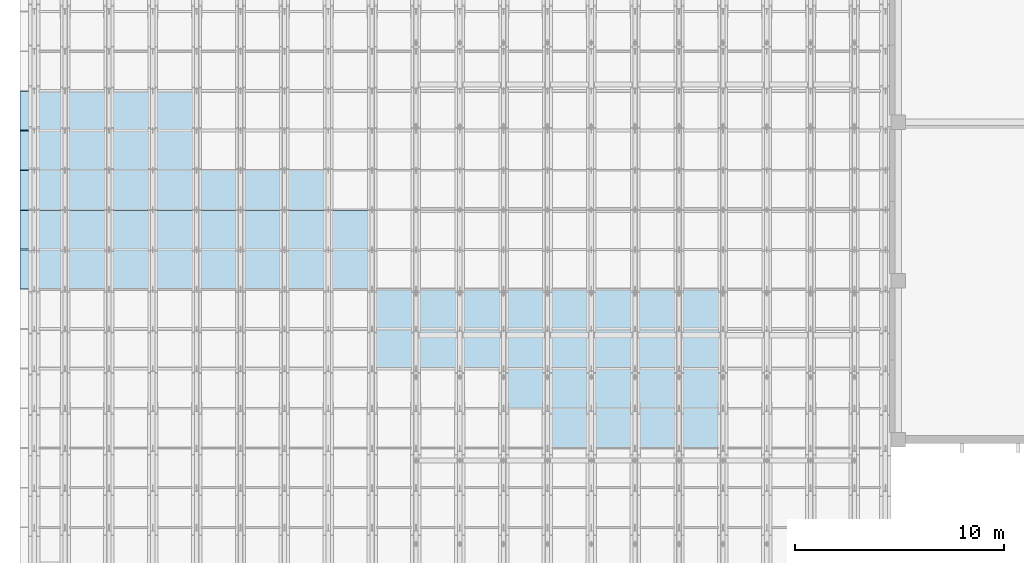
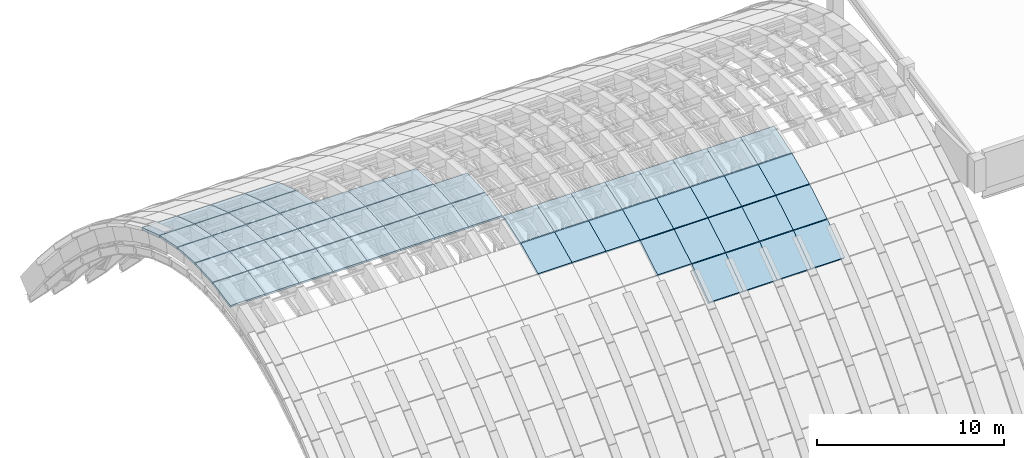
# One storey, part 52 of 67: 56 plates, 1 element without a shape of its own.
"""IFC4 building model written with IfcOpenShell, lengths in metres."""

from ifc_helpers import new_model, si_unit, direction, frame, origin, place, context, subcontext, project, spatial, polyline, outline, extrude, material, layer, layer_set, type_object, element, aggregate, save


model = new_model("IFC4")

# Units and contexts
model_context = context("Model", 3, precision=1e-05, world=origin(), true_north=direction((0.0, 1.0)))
body_context = subcontext(model_context, "Body", "Model", "MODEL_VIEW")
ifc_project = project(units=[si_unit("LENGTHUNIT", "METRE"), si_unit("AREAUNIT", "SQUARE_METRE"), si_unit("VOLUMEUNIT", "CUBIC_METRE"), si_unit("PLANEANGLEUNIT", "RADIAN"), si_unit("MASSUNIT", "GRAM", prefix="KILO")], contexts=[model_context])

# Site, building, storey
site_placement = place(None, origin())
site = spatial("IfcSite", under=ifc_project, at=site_placement, CompositionType="ELEMENT")
building_placement = place(site_placement, origin())
building = spatial("IfcBuilding", under=site, at=building_placement, Name="Shengluoqiao Park Theatre", CompositionType="ELEMENT")
storey_placement = place(building_placement, frame((0.0, 0.0, 28.60009765625)))
storey = spatial("IfcBuildingStorey", under=building, at=storey_placement, Name="Roof", CompositionType="ELEMENT", Elevation=28.60009765625)

# Roof, plates
ifc_material = material(Name="Concrete C50", Category="concrete")
roof_type = type_object("IfcRoofType", Name="STR-ROOF-BARREL", PredefinedType="BARREL_ROOF", material=ifc_material)
roof_placement = place(storey_placement, origin())
roof = element("IfcRoof", 1, at=roof_placement, inside=storey, type_object=roof_type, Name="Main Theatre Barrel-Vault Thin-Shell Roof", PredefinedType="BARREL_ROOF")
ifc_layer_1 = layer(ifc_material, 0.219970703125, Name="Concrete C50")
ifc_layer_set_1 = layer_set([ifc_layer_1], Name="Concrete C50")
plate_type_1 = type_object("IfcPlateType", Name="STR-SHP-SP-05", PredefinedType="USERDEFINED", material=ifc_layer_set_1)
plate_1_placement = place(storey_placement, frame((69.60009765625, 83.617919921875, -1.32177734375), z_axis=(0.0, -0.589297368188, 0.807916215858), x_axis=(1.0, 0.0, 0.0)))
plate_1 = element("IfcPlate", 2, at=plate_1_placement, type_object=plate_type_1, Name="Barrel-Vault Shell Panel B13-S05", ObjectType="SHELL PANEL", PredefinedType="USERDEFINED", context=body_context, shape_type="SweptSolid", body=[
    extrude(outline(polyline([(0.0, 0.0), (2.099853515625, 0.0), (2.099853515625, 2.307186853397614), (0.0, 2.307186853397614), (0.0, 0.0)])), origin(), (0.0, 0.0, -1.0), 0.219970703125),
])
plate_2_placement = place(storey_placement, frame((71.699951171875, 83.617919921875, -1.32177734375), z_axis=(0.0, -0.589297368188, 0.807916215858), x_axis=(1.0, 0.0, 0.0)))
plate_2 = element("IfcPlate", 3, at=plate_2_placement, type_object=plate_type_1, Name="Barrel-Vault Shell Panel B14-S05", ObjectType="SHELL PANEL", PredefinedType="USERDEFINED", context=body_context, shape_type="SweptSolid", body=[
    extrude(outline(polyline([(0.0, 0.0), (2.10009765625, 0.0), (2.10009765625, 2.307186853397614), (0.0, 2.307186853397614), (0.0, 0.0)])), origin(), (0.0, 0.0, -1.0), 0.219970703125),
])
plate_3_placement = place(storey_placement, frame((73.800048828125, 83.617919921875, -1.32177734375), z_axis=(0.0, -0.589297368188, 0.807916215858), x_axis=(1.0, 0.0, 0.0)))
plate_3 = element("IfcPlate", 4, at=plate_3_placement, type_object=plate_type_1, Name="Barrel-Vault Shell Panel B15-S05", ObjectType="SHELL PANEL", PredefinedType="USERDEFINED", context=body_context, shape_type="SweptSolid", body=[
    extrude(outline(polyline([(0.0, 0.0), (2.099853515625, 0.0), (2.099853515625, 2.307186853397614), (0.0, 2.307186853397614), (0.0, 0.0)])), origin(), (0.0, 0.0, -1.0), 0.219970703125),
])
plate_4_placement = place(storey_placement, frame((75.89990234375, 83.617919921875, -1.32177734375), z_axis=(0.0, -0.589297368188, 0.807916215858), x_axis=(1.0, 0.0, 0.0)))
plate_4 = element("IfcPlate", 5, at=plate_4_placement, type_object=plate_type_1, Name="Barrel-Vault Shell Panel B16-S05", ObjectType="SHELL PANEL", PredefinedType="USERDEFINED", context=body_context, shape_type="SweptSolid", body=[
    extrude(outline(polyline([(0.0, 0.0), (2.10009765625, 0.0), (2.10009765625, 2.307186853397614), (0.0, 2.307186853397614), (0.0, 0.0)])), origin(), (0.0, 0.0, -1.0), 0.219970703125),
])
ifc_layer_2 = layer(ifc_material, 0.199951171875, Name="Concrete C50")
ifc_layer_set_2 = layer_set([ifc_layer_2], Name="Concrete C50")
plate_type_2 = type_object("IfcPlateType", Name="STR-SHP-SP-06", PredefinedType="USERDEFINED", material=ifc_layer_set_2)
plate_5_placement = place(storey_placement, frame((67.5, 85.51806640625, 0.061767578125), z_axis=(0.0, -0.512509675023, 0.858681450253), x_axis=(1.0, 0.0, 0.0)))
plate_5 = element("IfcPlate", 6, at=plate_5_placement, type_object=plate_type_2, Name="Barrel-Vault Shell Panel B12-S06", ObjectType="SHELL PANEL", PredefinedType="USERDEFINED", context=body_context, shape_type="SweptSolid", body=[
    extrude(outline(polyline([(0.0, 0.0), (2.10009765625, 0.0), (2.10009765625, 2.1707860014057654), (0.0, 2.1707860014057654), (0.0, 0.0)])), origin(), (0.0, 0.0, -1.0), 0.199951171875),
])
plate_6_placement = place(storey_placement, frame((69.60009765625, 85.51806640625, 0.061767578125), z_axis=(0.0, -0.512509675023, 0.858681450253), x_axis=(1.0, 0.0, 0.0)))
plate_6 = element("IfcPlate", 7, at=plate_6_placement, type_object=plate_type_2, Name="Barrel-Vault Shell Panel B13-S06", ObjectType="SHELL PANEL", PredefinedType="USERDEFINED", context=body_context, shape_type="SweptSolid", body=[
    extrude(outline(polyline([(0.0, 0.0), (2.099853515625, 0.0), (2.099853515625, 2.1707860014057654), (0.0, 2.1707860014057654), (0.0, 0.0)])), origin(), (0.0, 0.0, -1.0), 0.199951171875),
])
plate_7_placement = place(storey_placement, frame((71.699951171875, 85.51806640625, 0.061767578125), z_axis=(0.0, -0.512509675023, 0.858681450253), x_axis=(1.0, 0.0, 0.0)))
plate_7 = element("IfcPlate", 8, at=plate_7_placement, type_object=plate_type_2, Name="Barrel-Vault Shell Panel B14-S06", ObjectType="SHELL PANEL", PredefinedType="USERDEFINED", context=body_context, shape_type="SweptSolid", body=[
    extrude(outline(polyline([(0.0, 0.0), (2.10009765625, 0.0), (2.10009765625, 2.1707860014057654), (0.0, 2.1707860014057654), (0.0, 0.0)])), origin(), (0.0, 0.0, -1.0), 0.199951171875),
])
plate_8_placement = place(storey_placement, frame((73.800048828125, 85.51806640625, 0.061767578125), z_axis=(0.0, -0.512509675023, 0.858681450253), x_axis=(1.0, 0.0, 0.0)))
plate_8 = element("IfcPlate", 9, at=plate_8_placement, type_object=plate_type_2, Name="Barrel-Vault Shell Panel B15-S06", ObjectType="SHELL PANEL", PredefinedType="USERDEFINED", context=body_context, shape_type="SweptSolid", body=[
    extrude(outline(polyline([(0.0, 0.0), (2.099853515625, 0.0), (2.099853515625, 2.1707860014057654), (0.0, 2.1707860014057654), (0.0, 0.0)])), origin(), (0.0, 0.0, -1.0), 0.199951171875),
])
plate_9_placement = place(storey_placement, frame((75.89990234375, 85.51806640625, 0.061767578125), z_axis=(0.0, -0.512509675023, 0.858681450253), x_axis=(1.0, 0.0, 0.0)))
plate_9 = element("IfcPlate", 10, at=plate_9_placement, type_object=plate_type_2, Name="Barrel-Vault Shell Panel B16-S06", ObjectType="SHELL PANEL", PredefinedType="USERDEFINED", context=body_context, shape_type="SweptSolid", body=[
    extrude(outline(polyline([(0.0, 0.0), (2.10009765625, 0.0), (2.10009765625, 2.1707860014057654), (0.0, 2.1707860014057654), (0.0, 0.0)])), origin(), (0.0, 0.0, -1.0), 0.199951171875),
])
ifc_layer_3 = layer(ifc_material, 0.179931640625, Name="Concrete C50")
ifc_layer_set_3 = layer_set([ifc_layer_3], Name="Concrete C50")
plate_type_3 = type_object("IfcPlateType", Name="STR-SHP-SP-07", PredefinedType="USERDEFINED", material=ifc_layer_set_3)
plate_10_placement = place(storey_placement, frame((61.199951171875, 87.41796875, 1.193359375), z_axis=(0.0, -0.421128757918, 0.907000865079), x_axis=(1.0, 0.0, 0.0)))
plate_10 = element("IfcPlate", 11, at=plate_10_placement, type_object=plate_type_3, Name="Barrel-Vault Shell Panel B09-S07", ObjectType="SHELL PANEL", PredefinedType="USERDEFINED", context=body_context, shape_type="SweptSolid", body=[
    extrude(outline(polyline([(0.0, 0.0), (2.10009765625, 0.0), (2.10009765625, 2.0551399051999777), (0.0, 2.0551399051999777), (0.0, 0.0)])), origin(), (0.0, 0.0, -1.0), 0.179931640625),
])
plate_11_placement = place(storey_placement, frame((63.300048828125, 87.41796875, 1.193359375), z_axis=(0.0, -0.421128757918, 0.907000865079), x_axis=(1.0, 0.0, 0.0)))
plate_11 = element("IfcPlate", 12, at=plate_11_placement, type_object=plate_type_3, Name="Barrel-Vault Shell Panel B10-S07", ObjectType="SHELL PANEL", PredefinedType="USERDEFINED", context=body_context, shape_type="SweptSolid", body=[
    extrude(outline(polyline([(0.0, 0.0), (2.099853515625, 0.0), (2.099853515625, 2.055139905199978), (0.0, 2.055139905199978), (0.0, 0.0)])), origin(), (0.0, 0.0, -1.0), 0.179931640625),
])
plate_12_placement = place(storey_placement, frame((65.39990234375, 87.41796875, 1.193359375), z_axis=(0.0, -0.421128757918, 0.907000865079), x_axis=(1.0, 0.0, 0.0)))
plate_12 = element("IfcPlate", 13, at=plate_12_placement, type_object=plate_type_3, Name="Barrel-Vault Shell Panel B11-S07", ObjectType="SHELL PANEL", PredefinedType="USERDEFINED", context=body_context, shape_type="SweptSolid", body=[
    extrude(outline(polyline([(0.0, 0.0), (2.10009765625, 0.0), (2.10009765625, 2.0551399051999777), (0.0, 2.0551399051999777), (0.0, 0.0)])), origin(), (0.0, 0.0, -1.0), 0.179931640625),
])
plate_13_placement = place(storey_placement, frame((67.5, 87.41796875, 1.193359375), z_axis=(0.0, -0.421128757918, 0.907000865079), x_axis=(1.0, 0.0, 0.0)))
plate_13 = element("IfcPlate", 14, at=plate_13_placement, type_object=plate_type_3, Name="Barrel-Vault Shell Panel B12-S07", ObjectType="SHELL PANEL", PredefinedType="USERDEFINED", context=body_context, shape_type="SweptSolid", body=[
    extrude(outline(polyline([(0.0, 0.0), (2.10009765625, 0.0), (2.10009765625, 2.0551399051999777), (0.0, 2.0551399051999777), (0.0, 0.0)])), origin(), (0.0, 0.0, -1.0), 0.179931640625),
])
plate_14_placement = place(storey_placement, frame((69.60009765625, 87.41796875, 1.193359375), z_axis=(0.0, -0.421128757918, 0.907000865079), x_axis=(1.0, 0.0, 0.0)))
plate_14 = element("IfcPlate", 15, at=plate_14_placement, type_object=plate_type_3, Name="Barrel-Vault Shell Panel B13-S07", ObjectType="SHELL PANEL", PredefinedType="USERDEFINED", context=body_context, shape_type="SweptSolid", body=[
    extrude(outline(polyline([(0.0, 0.0), (2.099853515625, 0.0), (2.099853515625, 2.055139905199978), (0.0, 2.055139905199978), (0.0, 0.0)])), origin(), (0.0, 0.0, -1.0), 0.179931640625),
])
plate_15_placement = place(storey_placement, frame((71.699951171875, 87.41796875, 1.193359375), z_axis=(0.0, -0.421128757918, 0.907000865079), x_axis=(1.0, 0.0, 0.0)))
plate_15 = element("IfcPlate", 16, at=plate_15_placement, type_object=plate_type_3, Name="Barrel-Vault Shell Panel B14-S07", ObjectType="SHELL PANEL", PredefinedType="USERDEFINED", context=body_context, shape_type="SweptSolid", body=[
    extrude(outline(polyline([(0.0, 0.0), (2.10009765625, 0.0), (2.10009765625, 2.0551399051999777), (0.0, 2.0551399051999777), (0.0, 0.0)])), origin(), (0.0, 0.0, -1.0), 0.179931640625),
])
plate_16_placement = place(storey_placement, frame((73.800048828125, 87.41796875, 1.193359375), z_axis=(0.0, -0.421128757918, 0.907000865079), x_axis=(1.0, 0.0, 0.0)))
plate_16 = element("IfcPlate", 17, at=plate_16_placement, type_object=plate_type_3, Name="Barrel-Vault Shell Panel B15-S07", ObjectType="SHELL PANEL", PredefinedType="USERDEFINED", context=body_context, shape_type="SweptSolid", body=[
    extrude(outline(polyline([(0.0, 0.0), (2.099853515625, 0.0), (2.099853515625, 2.055139905199978), (0.0, 2.055139905199978), (0.0, 0.0)])), origin(), (0.0, 0.0, -1.0), 0.179931640625),
])
plate_17_placement = place(storey_placement, frame((75.89990234375, 87.41796875, 1.193359375), z_axis=(0.0, -0.421128757918, 0.907000865079), x_axis=(1.0, 0.0, 0.0)))
plate_17 = element("IfcPlate", 18, at=plate_17_placement, type_object=plate_type_3, Name="Barrel-Vault Shell Panel B16-S07", ObjectType="SHELL PANEL", PredefinedType="USERDEFINED", context=body_context, shape_type="SweptSolid", body=[
    extrude(outline(polyline([(0.0, 0.0), (2.10009765625, 0.0), (2.10009765625, 2.0551399051999777), (0.0, 2.0551399051999777), (0.0, 0.0)])), origin(), (0.0, 0.0, -1.0), 0.179931640625),
])
ifc_layer_4 = layer(ifc_material, 0.169921875, Name="Concrete C50")
ifc_layer_set_4 = layer_set([ifc_layer_4], Name="Concrete C50")
plate_type_4 = type_object("IfcPlateType", Name="STR-SHP-SP-08", PredefinedType="USERDEFINED", material=ifc_layer_set_4)
plate_18_placement = place(storey_placement, frame((44.340087890625, 98.818115234375, 2.691162109375), z_axis=(0.0, 0.314810021978, 0.949154702913), x_axis=(1.0, 0.0, 0.0)))
plate_18 = element("IfcPlate", 19, at=plate_18_placement, type_object=plate_type_4, Name="Barrel-Vault Shell Panel B01-S13", ObjectType="SHELL PANEL", PredefinedType="USERDEFINED", context=body_context, shape_type="SweptSolid", body=[
    extrude(outline(polyline([(0.0, 0.0), (2.159912109375, 0.0), (2.159912109375, 1.9636098578338692), (0.0, 1.9636098578338692), (0.0, 0.0)])), origin(), (0.0, 0.0, -1.0), 0.169921875),
])
plate_19_placement = place(storey_placement, frame((46.5, 98.818115234375, 2.691162109375), z_axis=(0.0, 0.314810021978, 0.949154702913), x_axis=(1.0, 0.0, 0.0)))
plate_19 = element("IfcPlate", 20, at=plate_19_placement, type_object=plate_type_4, Name="Barrel-Vault Shell Panel B02-S13", ObjectType="SHELL PANEL", PredefinedType="USERDEFINED", context=body_context, shape_type="SweptSolid", body=[
    extrude(outline(polyline([(0.0, 0.0), (2.10009765625, 0.0), (2.10009765625, 1.9636098578338692), (0.0, 1.9636098578338692), (0.0, 0.0)])), origin(), (0.0, 0.0, -1.0), 0.169921875),
])
plate_20_placement = place(storey_placement, frame((48.60009765625, 98.818115234375, 2.691162109375), z_axis=(0.0, 0.314810021978, 0.949154702913), x_axis=(1.0, 0.0, 0.0)))
plate_20 = element("IfcPlate", 21, at=plate_20_placement, type_object=plate_type_4, Name="Barrel-Vault Shell Panel B03-S13", ObjectType="SHELL PANEL", PredefinedType="USERDEFINED", context=body_context, shape_type="SweptSolid", body=[
    extrude(outline(polyline([(0.0, 0.0), (2.099853515625, 0.0), (2.099853515625, 1.9636098578338692), (0.0, 1.9636098578338692), (0.0, 0.0)])), origin(), (0.0, 0.0, -1.0), 0.169921875),
])
plate_21_placement = place(storey_placement, frame((50.699951171875, 98.818115234375, 2.691162109375), z_axis=(0.0, 0.314810021978, 0.949154702913), x_axis=(1.0, 0.0, 0.0)))
plate_21 = element("IfcPlate", 22, at=plate_21_placement, type_object=plate_type_4, Name="Barrel-Vault Shell Panel B04-S13", ObjectType="SHELL PANEL", PredefinedType="USERDEFINED", context=body_context, shape_type="SweptSolid", body=[
    extrude(outline(polyline([(0.0, 0.0), (2.10009765625, 0.0), (2.10009765625, 1.9636098578338692), (0.0, 1.9636098578338692), (0.0, 0.0)])), origin(), (0.0, 0.0, -1.0), 0.169921875),
])
plate_22_placement = place(storey_placement, frame((61.199951171875, 89.318115234375, 2.072998046875), z_axis=(0.0, -0.314810021978, 0.949154702913), x_axis=(1.0, 0.0, 0.0)))
plate_22 = element("IfcPlate", 23, at=plate_22_placement, type_object=plate_type_4, Name="Barrel-Vault Shell Panel B09-S08", ObjectType="SHELL PANEL", PredefinedType="USERDEFINED", context=body_context, shape_type="SweptSolid", body=[
    extrude(outline(polyline([(0.0, 0.0), (2.10009765625, 0.0), (2.10009765625, 1.9636098578338692), (0.0, 1.9636098578338692), (0.0, 0.0)])), origin(), (0.0, 0.0, -1.0), 0.169921875),
])
plate_23_placement = place(storey_placement, frame((63.300048828125, 89.318115234375, 2.072998046875), z_axis=(0.0, -0.314810021978, 0.949154702913), x_axis=(1.0, 0.0, 0.0)))
plate_23 = element("IfcPlate", 24, at=plate_23_placement, type_object=plate_type_4, Name="Barrel-Vault Shell Panel B10-S08", ObjectType="SHELL PANEL", PredefinedType="USERDEFINED", context=body_context, shape_type="SweptSolid", body=[
    extrude(outline(polyline([(0.0, 0.0), (2.099853515625, 0.0), (2.099853515625, 1.9636098578338692), (0.0, 1.9636098578338692), (0.0, 0.0)])), origin(), (0.0, 0.0, -1.0), 0.169921875),
])
plate_24_placement = place(storey_placement, frame((65.39990234375, 89.318115234375, 2.072998046875), z_axis=(0.0, -0.314810021978, 0.949154702913), x_axis=(1.0, 0.0, 0.0)))
plate_24 = element("IfcPlate", 25, at=plate_24_placement, type_object=plate_type_4, Name="Barrel-Vault Shell Panel B11-S08", ObjectType="SHELL PANEL", PredefinedType="USERDEFINED", context=body_context, shape_type="SweptSolid", body=[
    extrude(outline(polyline([(0.0, 0.0), (2.10009765625, 0.0), (2.10009765625, 1.9636098578338692), (0.0, 1.9636098578338692), (0.0, 0.0)])), origin(), (0.0, 0.0, -1.0), 0.169921875),
])
plate_25_placement = place(storey_placement, frame((67.5, 89.318115234375, 2.072998046875), z_axis=(0.0, -0.314810021978, 0.949154702913), x_axis=(1.0, 0.0, 0.0)))
plate_25 = element("IfcPlate", 26, at=plate_25_placement, type_object=plate_type_4, Name="Barrel-Vault Shell Panel B12-S08", ObjectType="SHELL PANEL", PredefinedType="USERDEFINED", context=body_context, shape_type="SweptSolid", body=[
    extrude(outline(polyline([(0.0, 0.0), (2.10009765625, 0.0), (2.10009765625, 1.9636098578338692), (0.0, 1.9636098578338692), (0.0, 0.0)])), origin(), (0.0, 0.0, -1.0), 0.169921875),
])
plate_26_placement = place(storey_placement, frame((69.60009765625, 89.318115234375, 2.072998046875), z_axis=(0.0, -0.314810021978, 0.949154702913), x_axis=(1.0, 0.0, 0.0)))
plate_26 = element("IfcPlate", 27, at=plate_26_placement, type_object=plate_type_4, Name="Barrel-Vault Shell Panel B13-S08", ObjectType="SHELL PANEL", PredefinedType="USERDEFINED", context=body_context, shape_type="SweptSolid", body=[
    extrude(outline(polyline([(0.0, 0.0), (2.099853515625, 0.0), (2.099853515625, 1.9636098578338692), (0.0, 1.9636098578338692), (0.0, 0.0)])), origin(), (0.0, 0.0, -1.0), 0.169921875),
])
plate_27_placement = place(storey_placement, frame((71.699951171875, 89.318115234375, 2.072998046875), z_axis=(0.0, -0.314810021978, 0.949154702913), x_axis=(1.0, 0.0, 0.0)))
plate_27 = element("IfcPlate", 28, at=plate_27_placement, type_object=plate_type_4, Name="Barrel-Vault Shell Panel B14-S08", ObjectType="SHELL PANEL", PredefinedType="USERDEFINED", context=body_context, shape_type="SweptSolid", body=[
    extrude(outline(polyline([(0.0, 0.0), (2.10009765625, 0.0), (2.10009765625, 1.9636098578338692), (0.0, 1.9636098578338692), (0.0, 0.0)])), origin(), (0.0, 0.0, -1.0), 0.169921875),
])
plate_28_placement = place(storey_placement, frame((73.800048828125, 89.318115234375, 2.072998046875), z_axis=(0.0, -0.314810021978, 0.949154702913), x_axis=(1.0, 0.0, 0.0)))
plate_28 = element("IfcPlate", 29, at=plate_28_placement, type_object=plate_type_4, Name="Barrel-Vault Shell Panel B15-S08", ObjectType="SHELL PANEL", PredefinedType="USERDEFINED", context=body_context, shape_type="SweptSolid", body=[
    extrude(outline(polyline([(0.0, 0.0), (2.099853515625, 0.0), (2.099853515625, 1.9636098578338692), (0.0, 1.9636098578338692), (0.0, 0.0)])), origin(), (0.0, 0.0, -1.0), 0.169921875),
])
plate_29_placement = place(storey_placement, frame((75.89990234375, 89.318115234375, 2.072998046875), z_axis=(0.0, -0.314810021978, 0.949154702913), x_axis=(1.0, 0.0, 0.0)))
plate_29 = element("IfcPlate", 30, at=plate_29_placement, type_object=plate_type_4, Name="Barrel-Vault Shell Panel B16-S08", ObjectType="SHELL PANEL", PredefinedType="USERDEFINED", context=body_context, shape_type="SweptSolid", body=[
    extrude(outline(polyline([(0.0, 0.0), (2.10009765625, 0.0), (2.10009765625, 1.9636098578338692), (0.0, 1.9636098578338692), (0.0, 0.0)])), origin(), (0.0, 0.0, -1.0), 0.169921875),
])
ifc_layer_5 = layer(ifc_material, 0.14990234375, Name="Concrete C50")
ifc_layer_set_5 = layer_set([ifc_layer_5], Name="Concrete C50")
plate_type_5 = type_object("IfcPlateType", Name="STR-SHP-SP-09", PredefinedType="USERDEFINED", material=ifc_layer_set_5)
plate_30_placement = place(storey_placement, frame((44.340087890625, 91.218017578125, 2.70068359375), z_axis=(0.0, -0.195127896118, 0.980777805701), x_axis=(1.0, 0.0, 0.0)))
plate_30 = element("IfcPlate", 31, at=plate_30_placement, type_object=plate_type_5, Name="Barrel-Vault Shell Panel B01-S09", ObjectType="SHELL PANEL", PredefinedType="USERDEFINED", context=body_context, shape_type="SweptSolid", body=[
    extrude(outline(polyline([(0.0, 0.0), (2.159912109375, 0.0), (2.159912109375, 1.9005463429526022), (0.0, 1.9005463429526022), (0.0, 0.0)])), origin(), (0.0, 0.0, -1.0), 0.14990234375),
])
plate_31_placement = place(storey_placement, frame((44.340087890625, 96.91796875, 3.071533203125), z_axis=(0.0, 0.195127896118, 0.980777805701), x_axis=(1.0, 0.0, 0.0)))
plate_31 = element("IfcPlate", 32, at=plate_31_placement, type_object=plate_type_5, Name="Barrel-Vault Shell Panel B01-S12", ObjectType="SHELL PANEL", PredefinedType="USERDEFINED", context=body_context, shape_type="SweptSolid", body=[
    extrude(outline(polyline([(0.0, 0.0), (2.159912109375, 0.0), (2.159912109375, 1.9005463429526022), (0.0, 1.9005463429526022), (0.0, 0.0)])), origin(), (0.0, 0.0, -1.0), 0.14990234375),
])
plate_32_placement = place(storey_placement, frame((46.5, 91.218017578125, 2.70068359375), z_axis=(0.0, -0.195127896118, 0.980777805701), x_axis=(1.0, 0.0, 0.0)))
plate_32 = element("IfcPlate", 33, at=plate_32_placement, type_object=plate_type_5, Name="Barrel-Vault Shell Panel B02-S09", ObjectType="SHELL PANEL", PredefinedType="USERDEFINED", context=body_context, shape_type="SweptSolid", body=[
    extrude(outline(polyline([(0.0, 0.0), (2.10009765625, 0.0), (2.10009765625, 1.9005463429526022), (0.0, 1.9005463429526022), (0.0, 0.0)])), origin(), (0.0, 0.0, -1.0), 0.14990234375),
])
plate_33_placement = place(storey_placement, frame((46.5, 96.91796875, 3.071533203125), z_axis=(0.0, 0.195127896118, 0.980777805701), x_axis=(1.0, 0.0, 0.0)))
plate_33 = element("IfcPlate", 34, at=plate_33_placement, type_object=plate_type_5, Name="Barrel-Vault Shell Panel B02-S12", ObjectType="SHELL PANEL", PredefinedType="USERDEFINED", context=body_context, shape_type="SweptSolid", body=[
    extrude(outline(polyline([(0.0, 0.0), (2.10009765625, 0.0), (2.10009765625, 1.9005463429526022), (0.0, 1.9005463429526022), (0.0, 0.0)])), origin(), (0.0, 0.0, -1.0), 0.14990234375),
])
plate_34_placement = place(storey_placement, frame((48.60009765625, 91.218017578125, 2.70068359375), z_axis=(0.0, -0.195127896118, 0.980777805701), x_axis=(1.0, 0.0, 0.0)))
plate_34 = element("IfcPlate", 35, at=plate_34_placement, type_object=plate_type_5, Name="Barrel-Vault Shell Panel B03-S09", ObjectType="SHELL PANEL", PredefinedType="USERDEFINED", context=body_context, shape_type="SweptSolid", body=[
    extrude(outline(polyline([(0.0, 0.0), (2.099853515625, 0.0), (2.099853515625, 1.9005463429526024), (0.0, 1.9005463429526024), (0.0, 0.0)])), origin(), (0.0, 0.0, -1.0), 0.14990234375),
])
plate_35_placement = place(storey_placement, frame((48.60009765625, 96.91796875, 3.071533203125), z_axis=(0.0, 0.195127896118, 0.980777805701), x_axis=(1.0, 0.0, 0.0)))
plate_35 = element("IfcPlate", 36, at=plate_35_placement, type_object=plate_type_5, Name="Barrel-Vault Shell Panel B03-S12", ObjectType="SHELL PANEL", PredefinedType="USERDEFINED", context=body_context, shape_type="SweptSolid", body=[
    extrude(outline(polyline([(0.0, 0.0), (2.099853515625, 0.0), (2.099853515625, 1.9005463429526024), (0.0, 1.9005463429526024), (0.0, 0.0)])), origin(), (0.0, 0.0, -1.0), 0.14990234375),
])
plate_36_placement = place(storey_placement, frame((50.699951171875, 91.218017578125, 2.70068359375), z_axis=(0.0, -0.195127896118, 0.980777805701), x_axis=(1.0, 0.0, 0.0)))
plate_36 = element("IfcPlate", 37, at=plate_36_placement, type_object=plate_type_5, Name="Barrel-Vault Shell Panel B04-S09", ObjectType="SHELL PANEL", PredefinedType="USERDEFINED", context=body_context, shape_type="SweptSolid", body=[
    extrude(outline(polyline([(0.0, 0.0), (2.10009765625, 0.0), (2.10009765625, 1.9005463429526022), (0.0, 1.9005463429526022), (0.0, 0.0)])), origin(), (0.0, 0.0, -1.0), 0.14990234375),
])
plate_37_placement = place(storey_placement, frame((50.699951171875, 96.91796875, 3.071533203125), z_axis=(0.0, 0.195127896118, 0.980777805701), x_axis=(1.0, 0.0, 0.0)))
plate_37 = element("IfcPlate", 38, at=plate_37_placement, type_object=plate_type_5, Name="Barrel-Vault Shell Panel B04-S12", ObjectType="SHELL PANEL", PredefinedType="USERDEFINED", context=body_context, shape_type="SweptSolid", body=[
    extrude(outline(polyline([(0.0, 0.0), (2.10009765625, 0.0), (2.10009765625, 1.9005463429526022), (0.0, 1.9005463429526022), (0.0, 0.0)])), origin(), (0.0, 0.0, -1.0), 0.14990234375),
])
plate_38_placement = place(storey_placement, frame((52.800048828125, 91.218017578125, 2.70068359375), z_axis=(0.0, -0.195127896118, 0.980777805701), x_axis=(1.0, 0.0, 0.0)))
plate_38 = element("IfcPlate", 39, at=plate_38_placement, type_object=plate_type_5, Name="Barrel-Vault Shell Panel B05-S09", ObjectType="SHELL PANEL", PredefinedType="USERDEFINED", context=body_context, shape_type="SweptSolid", body=[
    extrude(outline(polyline([(0.0, 0.0), (2.099853515625, 0.0), (2.099853515625, 1.9005463429526024), (0.0, 1.9005463429526024), (0.0, 0.0)])), origin(), (0.0, 0.0, -1.0), 0.14990234375),
])
plate_39_placement = place(storey_placement, frame((54.89990234375, 91.218017578125, 2.70068359375), z_axis=(0.0, -0.195127896118, 0.980777805701), x_axis=(1.0, 0.0, 0.0)))
plate_39 = element("IfcPlate", 40, at=plate_39_placement, type_object=plate_type_5, Name="Barrel-Vault Shell Panel B06-S09", ObjectType="SHELL PANEL", PredefinedType="USERDEFINED", context=body_context, shape_type="SweptSolid", body=[
    extrude(outline(polyline([(0.0, 0.0), (2.10009765625, 0.0), (2.10009765625, 1.9005463429526022), (0.0, 1.9005463429526022), (0.0, 0.0)])), origin(), (0.0, 0.0, -1.0), 0.14990234375),
])
plate_40_placement = place(storey_placement, frame((57.0, 91.218017578125, 2.70068359375), z_axis=(0.0, -0.195127896118, 0.980777805701), x_axis=(1.0, 0.0, 0.0)))
plate_40 = element("IfcPlate", 41, at=plate_40_placement, type_object=plate_type_5, Name="Barrel-Vault Shell Panel B07-S09", ObjectType="SHELL PANEL", PredefinedType="USERDEFINED", context=body_context, shape_type="SweptSolid", body=[
    extrude(outline(polyline([(0.0, 0.0), (2.10009765625, 0.0), (2.10009765625, 1.9005463429526022), (0.0, 1.9005463429526022), (0.0, 0.0)])), origin(), (0.0, 0.0, -1.0), 0.14990234375),
])
plate_41_placement = place(storey_placement, frame((59.10009765625, 91.218017578125, 2.70068359375), z_axis=(0.0, -0.195127896118, 0.980777805701), x_axis=(1.0, 0.0, 0.0)))
plate_41 = element("IfcPlate", 42, at=plate_41_placement, type_object=plate_type_5, Name="Barrel-Vault Shell Panel B08-S09", ObjectType="SHELL PANEL", PredefinedType="USERDEFINED", context=body_context, shape_type="SweptSolid", body=[
    extrude(outline(polyline([(0.0, 0.0), (2.099853515625, 0.0), (2.099853515625, 1.9005463429526024), (0.0, 1.9005463429526024), (0.0, 0.0)])), origin(), (0.0, 0.0, -1.0), 0.14990234375),
])
ifc_layer_6 = layer(ifc_material, 0.139892578125, Name="Concrete C50")
ifc_layer_set_6 = layer_set([ifc_layer_6], Name="Concrete C50")
plate_type_6 = type_object("IfcPlateType", Name="STR-SHP-SP-10", PredefinedType="USERDEFINED", material=ifc_layer_set_6)
plate_42_placement = place(storey_placement, frame((44.340087890625, 93.117919921875, 3.076171875), z_axis=(0.0, -0.066258788899, 0.997802471882), x_axis=(1.0, 0.0, 0.0)))
plate_42 = element("IfcPlate", 43, at=plate_42_placement, type_object=plate_type_6, Name="Barrel-Vault Shell Panel B01-S10", ObjectType="SHELL PANEL", PredefinedType="USERDEFINED", context=body_context, shape_type="SweptSolid", body=[
    extrude(outline(polyline([(0.0, 0.0), (2.159912109375, 0.0), (2.159912109375, 1.8681189157202467), (0.0, 1.8681189157202467), (0.0, 0.0)])), origin(), (0.0, 0.0, -1.0), 0.139892578125),
])
plate_43_placement = place(storey_placement, frame((44.340087890625, 95.01806640625, 3.199951171875), z_axis=(0.0, 0.066258788899, 0.997802471882), x_axis=(1.0, 0.0, 0.0)))
plate_43 = element("IfcPlate", 44, at=plate_43_placement, type_object=plate_type_6, Name="Barrel-Vault Shell Panel B01-S11", ObjectType="SHELL PANEL", PredefinedType="USERDEFINED", context=body_context, shape_type="SweptSolid", body=[
    extrude(outline(polyline([(0.0, 0.0), (2.159912109375, 0.0), (2.159912109375, 1.8681189157202467), (0.0, 1.8681189157202467), (0.0, 0.0)])), origin(), (0.0, 0.0, -1.0), 0.139892578125),
])
plate_44_placement = place(storey_placement, frame((46.5, 93.117919921875, 3.076171875), z_axis=(0.0, -0.066258788899, 0.997802471882), x_axis=(1.0, 0.0, 0.0)))
plate_44 = element("IfcPlate", 45, at=plate_44_placement, type_object=plate_type_6, Name="Barrel-Vault Shell Panel B02-S10", ObjectType="SHELL PANEL", PredefinedType="USERDEFINED", context=body_context, shape_type="SweptSolid", body=[
    extrude(outline(polyline([(0.0, 0.0), (2.10009765625, 0.0), (2.10009765625, 1.8681189157202462), (0.0, 1.8681189157202462), (0.0, 0.0)])), origin(), (0.0, 0.0, -1.0), 0.139892578125),
])
plate_45_placement = place(storey_placement, frame((46.5, 95.01806640625, 3.199951171875), z_axis=(0.0, 0.066258788899, 0.997802471882), x_axis=(1.0, 0.0, 0.0)))
plate_45 = element("IfcPlate", 46, at=plate_45_placement, type_object=plate_type_6, Name="Barrel-Vault Shell Panel B02-S11", ObjectType="SHELL PANEL", PredefinedType="USERDEFINED", context=body_context, shape_type="SweptSolid", body=[
    extrude(outline(polyline([(0.0, 0.0), (2.10009765625, 0.0), (2.10009765625, 1.8681189157202462), (0.0, 1.8681189157202462), (0.0, 0.0)])), origin(), (0.0, 0.0, -1.0), 0.139892578125),
])
plate_46_placement = place(storey_placement, frame((48.60009765625, 93.117919921875, 3.076171875), z_axis=(0.0, -0.066258788899, 0.997802471882), x_axis=(1.0, 0.0, 0.0)))
plate_46 = element("IfcPlate", 47, at=plate_46_placement, type_object=plate_type_6, Name="Barrel-Vault Shell Panel B03-S10", ObjectType="SHELL PANEL", PredefinedType="USERDEFINED", context=body_context, shape_type="SweptSolid", body=[
    extrude(outline(polyline([(0.0, 0.0), (2.099853515625, 0.0), (2.099853515625, 1.8681189157202465), (0.0, 1.8681189157202465), (0.0, 0.0)])), origin(), (0.0, 0.0, -1.0), 0.139892578125),
])
plate_47_placement = place(storey_placement, frame((48.60009765625, 95.01806640625, 3.199951171875), z_axis=(0.0, 0.066258788899, 0.997802471882), x_axis=(1.0, 0.0, 0.0)))
plate_47 = element("IfcPlate", 48, at=plate_47_placement, type_object=plate_type_6, Name="Barrel-Vault Shell Panel B03-S11", ObjectType="SHELL PANEL", PredefinedType="USERDEFINED", context=body_context, shape_type="SweptSolid", body=[
    extrude(outline(polyline([(0.0, 0.0), (2.099853515625, 0.0), (2.099853515625, 1.8681189157202465), (0.0, 1.8681189157202465), (0.0, 0.0)])), origin(), (0.0, 0.0, -1.0), 0.139892578125),
])
plate_48_placement = place(storey_placement, frame((50.699951171875, 93.117919921875, 3.076171875), z_axis=(0.0, -0.066258788899, 0.997802471882), x_axis=(1.0, 0.0, 0.0)))
plate_48 = element("IfcPlate", 49, at=plate_48_placement, type_object=plate_type_6, Name="Barrel-Vault Shell Panel B04-S10", ObjectType="SHELL PANEL", PredefinedType="USERDEFINED", context=body_context, shape_type="SweptSolid", body=[
    extrude(outline(polyline([(0.0, 0.0), (2.10009765625, 0.0), (2.10009765625, 1.8681189157202462), (0.0, 1.8681189157202462), (0.0, 0.0)])), origin(), (0.0, 0.0, -1.0), 0.139892578125),
])
plate_49_placement = place(storey_placement, frame((50.699951171875, 95.01806640625, 3.199951171875), z_axis=(0.0, 0.066258788899, 0.997802471882), x_axis=(1.0, 0.0, 0.0)))
plate_49 = element("IfcPlate", 50, at=plate_49_placement, type_object=plate_type_6, Name="Barrel-Vault Shell Panel B04-S11", ObjectType="SHELL PANEL", PredefinedType="USERDEFINED", context=body_context, shape_type="SweptSolid", body=[
    extrude(outline(polyline([(0.0, 0.0), (2.10009765625, 0.0), (2.10009765625, 1.8681189157202462), (0.0, 1.8681189157202462), (0.0, 0.0)])), origin(), (0.0, 0.0, -1.0), 0.139892578125),
])
plate_50_placement = place(storey_placement, frame((52.800048828125, 93.117919921875, 3.076171875), z_axis=(0.0, -0.066258788899, 0.997802471882), x_axis=(1.0, 0.0, 0.0)))
plate_50 = element("IfcPlate", 51, at=plate_50_placement, type_object=plate_type_6, Name="Barrel-Vault Shell Panel B05-S10", ObjectType="SHELL PANEL", PredefinedType="USERDEFINED", context=body_context, shape_type="SweptSolid", body=[
    extrude(outline(polyline([(0.0, 0.0), (2.099853515625, 0.0), (2.099853515625, 1.8681189157202465), (0.0, 1.8681189157202465), (0.0, 0.0)])), origin(), (0.0, 0.0, -1.0), 0.139892578125),
])
plate_51_placement = place(storey_placement, frame((52.800048828125, 95.01806640625, 3.199951171875), z_axis=(0.0, 0.066258788899, 0.997802471882), x_axis=(1.0, 0.0, 0.0)))
plate_51 = element("IfcPlate", 52, at=plate_51_placement, type_object=plate_type_6, Name="Barrel-Vault Shell Panel B05-S11", ObjectType="SHELL PANEL", PredefinedType="USERDEFINED", context=body_context, shape_type="SweptSolid", body=[
    extrude(outline(polyline([(0.0, 0.0), (2.099853515625, 0.0), (2.099853515625, 1.8681189157202465), (0.0, 1.8681189157202465), (0.0, 0.0)])), origin(), (0.0, 0.0, -1.0), 0.139892578125),
])
plate_52_placement = place(storey_placement, frame((54.89990234375, 93.117919921875, 3.076171875), z_axis=(0.0, -0.066258788899, 0.997802471882), x_axis=(1.0, 0.0, 0.0)))
plate_52 = element("IfcPlate", 53, at=plate_52_placement, type_object=plate_type_6, Name="Barrel-Vault Shell Panel B06-S10", ObjectType="SHELL PANEL", PredefinedType="USERDEFINED", context=body_context, shape_type="SweptSolid", body=[
    extrude(outline(polyline([(0.0, 0.0), (2.10009765625, 0.0), (2.10009765625, 1.8681189157202462), (0.0, 1.8681189157202462), (0.0, 0.0)])), origin(), (0.0, 0.0, -1.0), 0.139892578125),
])
plate_53_placement = place(storey_placement, frame((54.89990234375, 95.01806640625, 3.199951171875), z_axis=(0.0, 0.066258788899, 0.997802471882), x_axis=(1.0, 0.0, 0.0)))
plate_53 = element("IfcPlate", 54, at=plate_53_placement, type_object=plate_type_6, Name="Barrel-Vault Shell Panel B06-S11", ObjectType="SHELL PANEL", PredefinedType="USERDEFINED", context=body_context, shape_type="SweptSolid", body=[
    extrude(outline(polyline([(0.0, 0.0), (2.10009765625, 0.0), (2.10009765625, 1.8681189157202462), (0.0, 1.8681189157202462), (0.0, 0.0)])), origin(), (0.0, 0.0, -1.0), 0.139892578125),
])
plate_54_placement = place(storey_placement, frame((57.0, 93.117919921875, 3.076171875), z_axis=(0.0, -0.066258788899, 0.997802471882), x_axis=(1.0, 0.0, 0.0)))
plate_54 = element("IfcPlate", 55, at=plate_54_placement, type_object=plate_type_6, Name="Barrel-Vault Shell Panel B07-S10", ObjectType="SHELL PANEL", PredefinedType="USERDEFINED", context=body_context, shape_type="SweptSolid", body=[
    extrude(outline(polyline([(0.0, 0.0), (2.10009765625, 0.0), (2.10009765625, 1.8681189157202462), (0.0, 1.8681189157202462), (0.0, 0.0)])), origin(), (0.0, 0.0, -1.0), 0.139892578125),
])
plate_55_placement = place(storey_placement, frame((57.0, 95.01806640625, 3.199951171875), z_axis=(0.0, 0.066258788899, 0.997802471882), x_axis=(1.0, 0.0, 0.0)))
plate_55 = element("IfcPlate", 56, at=plate_55_placement, type_object=plate_type_6, Name="Barrel-Vault Shell Panel B07-S11", ObjectType="SHELL PANEL", PredefinedType="USERDEFINED", context=body_context, shape_type="SweptSolid", body=[
    extrude(outline(polyline([(0.0, 0.0), (2.10009765625, 0.0), (2.10009765625, 1.8681189157202462), (0.0, 1.8681189157202462), (0.0, 0.0)])), origin(), (0.0, 0.0, -1.0), 0.139892578125),
])
plate_56_placement = place(storey_placement, frame((59.10009765625, 93.117919921875, 3.076171875), z_axis=(0.0, -0.066258788899, 0.997802471882), x_axis=(1.0, 0.0, 0.0)))
plate_56 = element("IfcPlate", 57, at=plate_56_placement, type_object=plate_type_6, Name="Barrel-Vault Shell Panel B08-S10", ObjectType="SHELL PANEL", PredefinedType="USERDEFINED", context=body_context, shape_type="SweptSolid", body=[
    extrude(outline(polyline([(0.0, 0.0), (2.099853515625, 0.0), (2.099853515625, 1.8681189157202465), (0.0, 1.8681189157202465), (0.0, 0.0)])), origin(), (0.0, 0.0, -1.0), 0.139892578125),
])
aggregate(roof, [plate_30, plate_42, plate_43, plate_31, plate_18, plate_32, plate_44, plate_45, plate_33, plate_19, plate_34, plate_46, plate_47, plate_35, plate_20, plate_36, plate_48, plate_49, plate_37, plate_21, plate_38, plate_50, plate_51, plate_39, plate_52, plate_53, plate_40, plate_54, plate_55, plate_41, plate_56, plate_10, plate_22, plate_11, plate_23, plate_12, plate_24, plate_5, plate_13, plate_25, plate_1, plate_6, plate_14, plate_26, plate_2, plate_7, plate_15, plate_27, plate_3, plate_8, plate_16, plate_28, plate_4, plate_9, plate_17, plate_29])

save(model, "model.ifc")
